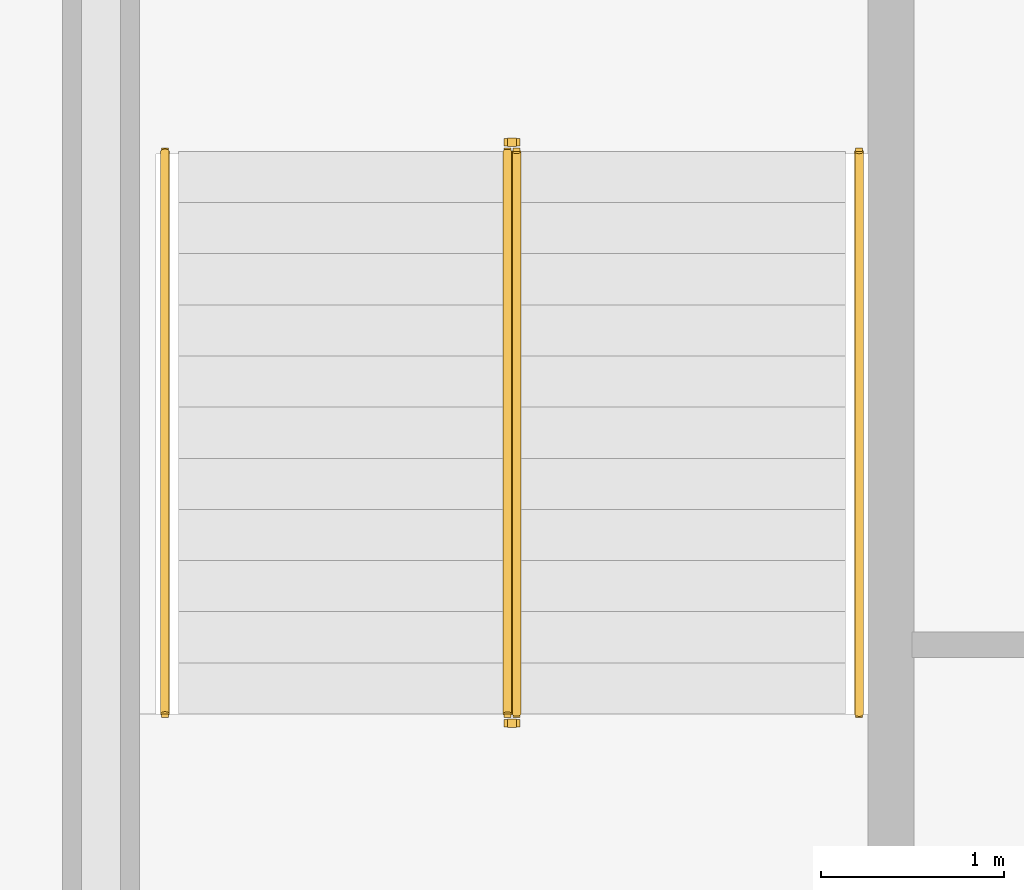
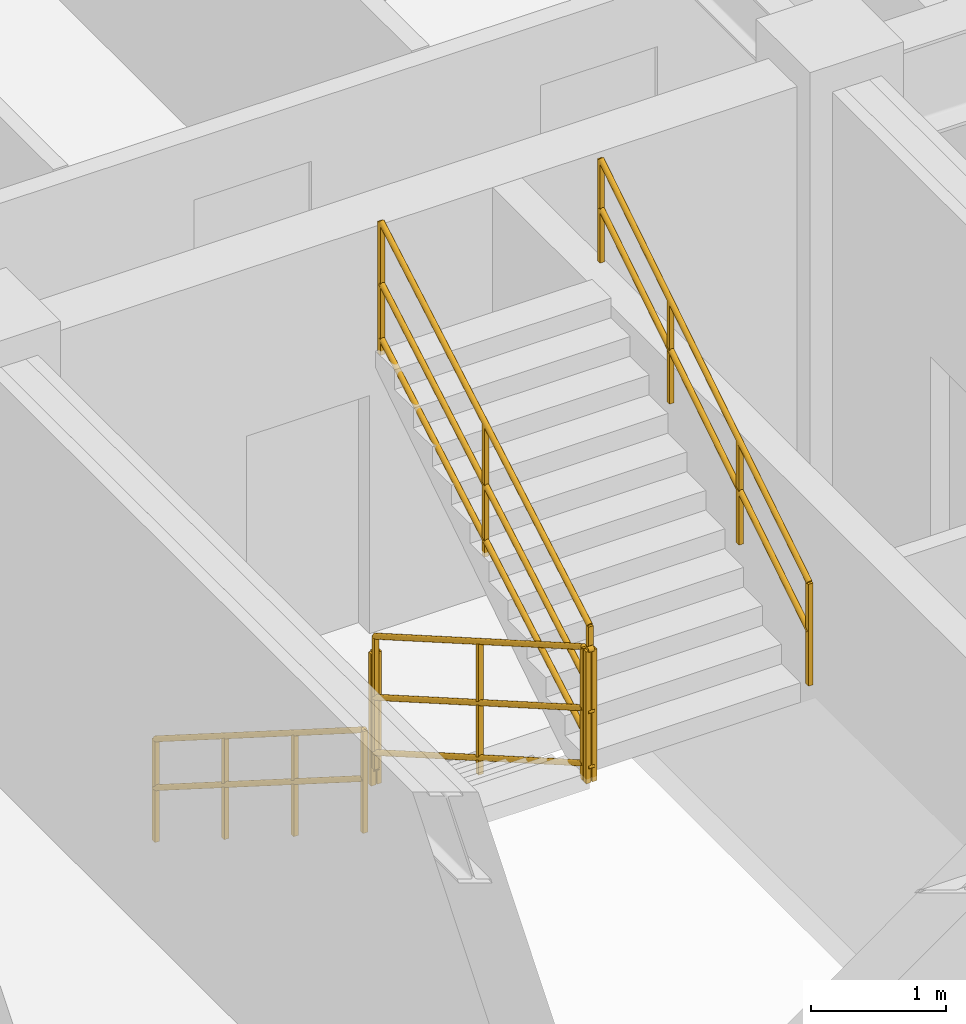
# One storey, part 10 of 10: 6 railings.
"""IFC4 building model written with IfcOpenShell, lengths in metres."""

from ifc_helpers import new_model, entity, si_unit, converted_unit, direction, frame, origin_with_axes, origin_2d_with_axis, place, context, subcontext, project, spatial, rectangle, circle, extrude, material, type_object, element, save


model = new_model("IFC4")

# Units and contexts
model_context = context("Model", 3, precision=1e-05, world=origin_with_axes(), true_north=direction((0.0, 1.0)))
body_context = subcontext(model_context, "Body", "Model", "MODEL_VIEW")
ifc_project = project(units=[si_unit("LENGTHUNIT", "METRE"), si_unit("AREAUNIT", "SQUARE_METRE"), si_unit("VOLUMEUNIT", "CUBIC_METRE"), converted_unit("PLANEANGLEUNIT", "DEGREE", entity("IfcPlaneAngleMeasure", 0.017453292519943295), si_unit("PLANEANGLEUNIT", "RADIAN"), dimensions=[0, 0, 0, 0, 0, 0, 0]), si_unit("MASSUNIT", "GRAM", prefix="KILO"), si_unit("THERMODYNAMICTEMPERATUREUNIT", "KELVIN")], contexts=[model_context])

# Site, building, storey
site_placement = place(None, origin_with_axes())
site = spatial("IfcSite", under=ifc_project, at=site_placement, CompositionType="ELEMENT")
building_placement = place(site_placement, origin_with_axes())
building = spatial("IfcBuilding", under=site, at=building_placement, Name="Varnlund Millrace Tower", CompositionType="ELEMENT")
storey_placement = place(building_placement, frame((0.0, 0.0, 268.5), z_axis=(0.0, 0.0, 1.0), x_axis=(1.0, 0.0, 0.0)))
storey = spatial("IfcBuildingStorey", under=building, at=storey_placement, Name="L66", CompositionType="ELEMENT", Elevation=268.5)

# Railings
ifc_material_1 = material(Name="Painted steel stair well balustrade guard", Category="steel")
railing_type_1 = type_object("IfcRailingType", Name="Type-StairGuard-1150", PredefinedType="GUARDRAIL", material=ifc_material_1)
railing_1_placement = place(storey_placement, frame((0.0, 0.0, -268.5), z_axis=(0.0, 0.0, 1.0), x_axis=(1.0, 0.0, 0.0)))
element("IfcRailing", 1, at=railing_1_placement, inside=storey, type_object=railing_type_1, Name="Type-StairGuard-1150", PredefinedType="GUARDRAIL", context=body_context, shape_type="SweptSolid", body=[
    extrude(circle(Radius=0.024, at=origin_2d_with_axis()), frame((13.625, 35.9, 269.827273), z_axis=(0.0, -0.866696, 0.498836), x_axis=(1.0, 0.0, 0.0)), (0.0, 0.0, 1.0), 3.553725),
    extrude(circle(Radius=0.024, at=origin_2d_with_axis()), frame((13.625, 35.9, 268.777273), z_axis=(0.0, -0.866696, 0.498836), x_axis=(1.0, 0.0, 0.0)), (0.0, 0.0, 1.0), 3.553725),
    extrude(circle(Radius=0.024, at=origin_2d_with_axis()), frame((13.625, 35.9, 269.275273), z_axis=(0.0, -0.866696, 0.498836), x_axis=(1.0, 0.0, 0.0)), (0.0, 0.0, 1.0), 3.553725),
    extrude(rectangle(XDim=0.04, YDim=0.04, at=origin_2d_with_axis()), frame((13.625, 35.9, 268.637273), z_axis=(0.0, 0.0, 1.0), x_axis=(1.0, 0.0, 0.0)), (0.0, 0.0, 1.0), 1.19),
    extrude(rectangle(XDim=0.04, YDim=0.04, at=origin_2d_with_axis()), frame((13.625, 34.36, 269.523636), z_axis=(0.0, 0.0, 1.0), x_axis=(1.0, 0.0, 0.0)), (0.0, 0.0, 1.0), 1.19),
    extrude(rectangle(XDim=0.04, YDim=0.04, at=origin_2d_with_axis()), frame((13.625, 32.82, 270.41), z_axis=(0.0, 0.0, 1.0), x_axis=(1.0, 0.0, 0.0)), (0.0, 0.0, 1.0), 1.19),
])
railing_2_placement = place(storey_placement, frame((0.0, 0.0, -268.5), z_axis=(0.0, 0.0, 1.0), x_axis=(1.0, 0.0, 0.0)))
element("IfcRailing", 2, at=railing_2_placement, inside=storey, type_object=railing_type_1, Name="Type-StairGuard-1150", PredefinedType="GUARDRAIL", context=body_context, shape_type="SweptSolid", body=[
    extrude(circle(Radius=0.024, at=origin_2d_with_axis()), frame((13.675, 32.77, 271.6), z_axis=(-1.0, 0.0, 0.0), x_axis=(0.0, -1.0, 0.0)), (0.0, 0.0, 1.0), 0.05),
    extrude(circle(Radius=0.024, at=origin_2d_with_axis()), frame((13.675, 32.77, 270.55), z_axis=(-1.0, 0.0, 0.0), x_axis=(0.0, -1.0, 0.0)), (0.0, 0.0, 1.0), 0.05),
    extrude(circle(Radius=0.024, at=origin_2d_with_axis()), frame((13.675, 32.77, 271.048), z_axis=(-1.0, 0.0, 0.0), x_axis=(0.0, -1.0, 0.0)), (0.0, 0.0, 1.0), 0.05),
    extrude(rectangle(XDim=0.04, YDim=0.04, at=origin_2d_with_axis()), frame((13.675, 32.77, 270.41), z_axis=(0.0, 0.0, 1.0), x_axis=(1.0, 0.0, 0.0)), (0.0, 0.0, 1.0), 1.19),
    extrude(rectangle(XDim=0.04, YDim=0.04, at=origin_2d_with_axis()), frame((13.625, 32.77, 270.41), z_axis=(0.0, 0.0, 1.0), x_axis=(1.0, 0.0, 0.0)), (0.0, 0.0, 1.0), 1.19),
])
railing_3_placement = place(storey_placement, frame((0.0, 0.0, -268.5), z_axis=(0.0, 0.0, 1.0), x_axis=(1.0, 0.0, 0.0)))
element("IfcRailing", 3, at=railing_3_placement, inside=storey, type_object=railing_type_1, Name="Type-StairGuard-1150", PredefinedType="GUARDRAIL", context=body_context, shape_type="SweptSolid", body=[
    extrude(circle(Radius=0.024, at=origin_2d_with_axis()), frame((13.675, 32.82, 271.777273), z_axis=(0.0, 0.866696, 0.498836), x_axis=(-1.0, 0.0, 0.0)), (0.0, 0.0, 1.0), 3.553725),
    extrude(circle(Radius=0.024, at=origin_2d_with_axis()), frame((13.675, 32.82, 270.727273), z_axis=(0.0, 0.866696, 0.498836), x_axis=(-1.0, 0.0, 0.0)), (0.0, 0.0, 1.0), 3.553725),
    extrude(circle(Radius=0.024, at=origin_2d_with_axis()), frame((13.675, 32.82, 271.225273), z_axis=(0.0, 0.866696, 0.498836), x_axis=(-1.0, 0.0, 0.0)), (0.0, 0.0, 1.0), 3.553725),
    extrude(rectangle(XDim=0.04, YDim=0.04, at=origin_2d_with_axis()), frame((13.675, 32.82, 270.587273), z_axis=(0.0, 0.0, 1.0), x_axis=(1.0, 0.0, 0.0)), (0.0, 0.0, 1.0), 1.19),
    extrude(rectangle(XDim=0.04, YDim=0.04, at=origin_2d_with_axis()), frame((13.675, 34.36, 271.473636), z_axis=(0.0, 0.0, 1.0), x_axis=(1.0, 0.0, 0.0)), (0.0, 0.0, 1.0), 1.19),
    extrude(rectangle(XDim=0.04, YDim=0.04, at=origin_2d_with_axis()), frame((13.675, 35.9, 272.36), z_axis=(0.0, 0.0, 1.0), x_axis=(1.0, 0.0, 0.0)), (0.0, 0.0, 1.0), 1.19),
])
railing_4_placement = place(storey_placement, frame((0.0, 0.0, -268.5), z_axis=(0.0, 0.0, 1.0), x_axis=(1.0, 0.0, 0.0)))
element("IfcRailing", 4, at=railing_4_placement, inside=storey, type_object=railing_type_1, Name="Type-StairGuard-1150", PredefinedType="GUARDRAIL", context=body_context, shape_type="SweptSolid", body=[
    extrude(circle(Radius=0.024, at=origin_2d_with_axis()), frame((13.675, 35.95, 269.65), z_axis=(-1.0, 0.0, 0.0), x_axis=(0.0, -1.0, 0.0)), (0.0, 0.0, 1.0), 0.05),
    extrude(circle(Radius=0.024, at=origin_2d_with_axis()), frame((13.675, 35.95, 268.6), z_axis=(-1.0, 0.0, 0.0), x_axis=(0.0, -1.0, 0.0)), (0.0, 0.0, 1.0), 0.05),
    extrude(circle(Radius=0.024, at=origin_2d_with_axis()), frame((13.675, 35.95, 269.098), z_axis=(-1.0, 0.0, 0.0), x_axis=(0.0, -1.0, 0.0)), (0.0, 0.0, 1.0), 0.05),
    extrude(rectangle(XDim=0.04, YDim=0.04, at=origin_2d_with_axis()), frame((13.675, 35.95, 268.46), z_axis=(0.0, 0.0, 1.0), x_axis=(1.0, 0.0, 0.0)), (0.0, 0.0, 1.0), 1.19),
    extrude(rectangle(XDim=0.04, YDim=0.04, at=origin_2d_with_axis()), frame((13.625, 35.95, 268.46), z_axis=(0.0, 0.0, 1.0), x_axis=(1.0, 0.0, 0.0)), (0.0, 0.0, 1.0), 1.19),
])
ifc_material_2 = material(Name="Brushed architectural bronze stair handrail", Category="aluminium")
railing_type_2 = type_object("IfcRailingType", Name="Type-StairHandrail-900", PredefinedType="HANDRAIL", material=ifc_material_2)
railing_5_placement = place(storey_placement, frame((0.0, 0.0, -268.5), z_axis=(0.0, 0.0, 1.0), x_axis=(1.0, 0.0, 0.0)))
element("IfcRailing", 5, at=railing_5_placement, inside=storey, type_object=railing_type_2, Name="Type-StairHandrail-900", PredefinedType="HANDRAIL", context=body_context, shape_type="SweptSolid", body=[
    extrude(circle(Radius=0.024, at=origin_2d_with_axis()), frame((11.75, 35.9, 269.556995), z_axis=(0.0, -0.844902, 0.534922), x_axis=(1.0, 0.0, 0.0)), (0.0, 0.0, 1.0), 3.645394),
    extrude(circle(Radius=0.024, at=origin_2d_with_axis()), frame((11.75, 35.9, 269.117134), z_axis=(0.0, -0.844902, 0.534922), x_axis=(1.0, 0.0, 0.0)), (0.0, 0.0, 1.0), 3.645394),
    extrude(rectangle(XDim=0.04, YDim=0.04, at=origin_2d_with_axis()), frame((11.75, 35.9, 268.637273), z_axis=(0.0, 0.0, 1.0), x_axis=(1.0, 0.0, 0.0)), (0.0, 0.0, 1.0), 0.919722),
    extrude(rectangle(XDim=0.04, YDim=0.04, at=origin_2d_with_axis()), frame((11.75, 34.873333, 269.287273), z_axis=(0.0, 0.0, 1.0), x_axis=(1.0, 0.0, 0.0)), (0.0, 0.0, 1.0), 0.919722),
    extrude(rectangle(XDim=0.04, YDim=0.04, at=origin_2d_with_axis()), frame((11.75, 33.846667, 269.937273), z_axis=(0.0, 0.0, 1.0), x_axis=(1.0, 0.0, 0.0)), (0.0, 0.0, 1.0), 0.919722),
    extrude(rectangle(XDim=0.04, YDim=0.04, at=origin_2d_with_axis()), frame((11.75, 32.82, 270.587273), z_axis=(0.0, 0.0, 1.0), x_axis=(1.0, 0.0, 0.0)), (0.0, 0.0, 1.0), 0.919722),
])
railing_6_placement = place(storey_placement, frame((0.0, 0.0, -268.5), z_axis=(0.0, 0.0, 1.0), x_axis=(1.0, 0.0, 0.0)))
element("IfcRailing", 6, at=railing_6_placement, inside=storey, type_object=railing_type_2, Name="Type-StairHandrail-900", PredefinedType="HANDRAIL", context=body_context, shape_type="SweptSolid", body=[
    extrude(circle(Radius=0.024, at=origin_2d_with_axis()), frame((15.55, 32.82, 271.506995), z_axis=(0.0, 0.844902, 0.534922), x_axis=(-1.0, 0.0, 0.0)), (0.0, 0.0, 1.0), 3.645394),
    extrude(circle(Radius=0.024, at=origin_2d_with_axis()), frame((15.55, 32.82, 271.067134), z_axis=(0.0, 0.844902, 0.534922), x_axis=(-1.0, 0.0, 0.0)), (0.0, 0.0, 1.0), 3.645394),
    extrude(rectangle(XDim=0.04, YDim=0.04, at=origin_2d_with_axis()), frame((15.55, 32.82, 270.587273), z_axis=(0.0, 0.0, 1.0), x_axis=(1.0, 0.0, 0.0)), (0.0, 0.0, 1.0), 0.919722),
    extrude(rectangle(XDim=0.04, YDim=0.04, at=origin_2d_with_axis()), frame((15.55, 33.846667, 271.237273), z_axis=(0.0, 0.0, 1.0), x_axis=(1.0, 0.0, 0.0)), (0.0, 0.0, 1.0), 0.919722),
    extrude(rectangle(XDim=0.04, YDim=0.04, at=origin_2d_with_axis()), frame((15.55, 34.873333, 271.887273), z_axis=(0.0, 0.0, 1.0), x_axis=(1.0, 0.0, 0.0)), (0.0, 0.0, 1.0), 0.919722),
    extrude(rectangle(XDim=0.04, YDim=0.04, at=origin_2d_with_axis()), frame((15.55, 35.9, 272.537273), z_axis=(0.0, 0.0, 1.0), x_axis=(1.0, 0.0, 0.0)), (0.0, 0.0, 1.0), 0.919722),
])

save(model, "model.ifc")
